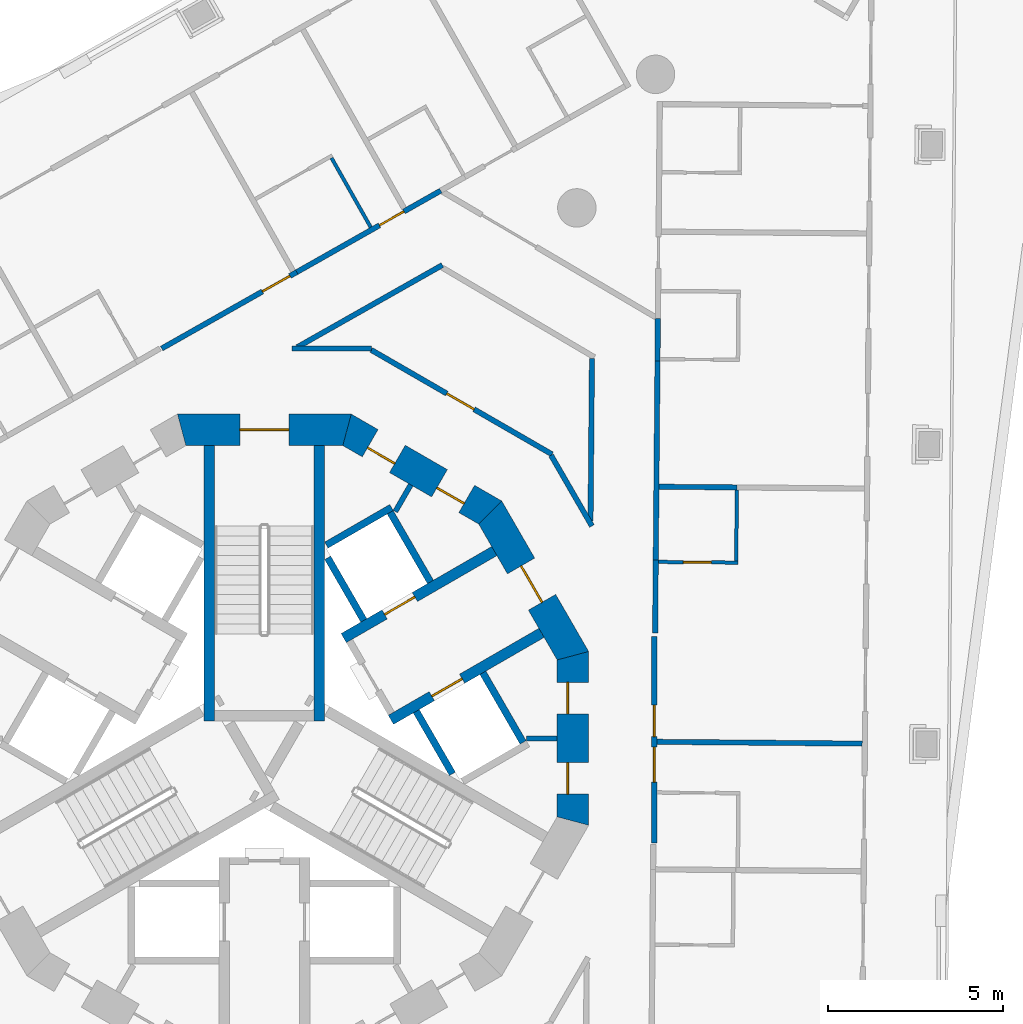
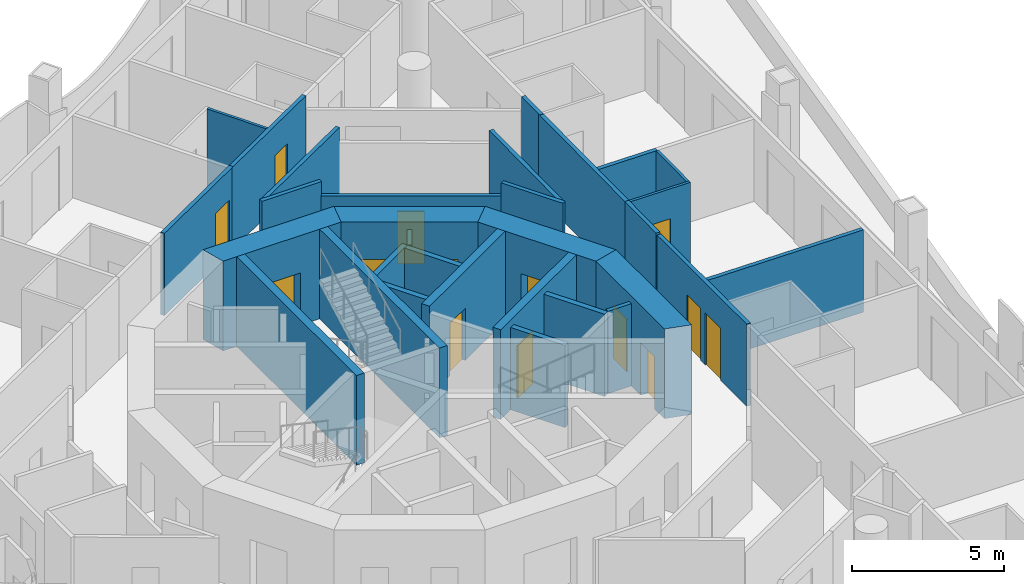
# One storey, part 8 of 18: 31 walls, 14 doors, 14 openings.
"""IFC4 building model written with IfcOpenShell, lengths in metres."""

from ifc_helpers import new_model, si_unit, direction, frame, frame_2d, origin, place, context, subcontext, project, spatial, polyline, rectangle, outline, extrude, material, layer, layer_set, type_object, element, fill, save


model = new_model("IFC4")

# Units and contexts
model_context = context("Model", 3, precision=1e-05, world=origin(), true_north=direction((0.0, 1.0)))
body_context = subcontext(model_context, "Body", "Model", "MODEL_VIEW")
ifc_project = project(units=[si_unit("LENGTHUNIT", "METRE"), si_unit("AREAUNIT", "SQUARE_METRE"), si_unit("VOLUMEUNIT", "CUBIC_METRE"), si_unit("PLANEANGLEUNIT", "RADIAN"), si_unit("MASSUNIT", "GRAM", prefix="KILO")], contexts=[model_context])

# Site, building, storey
site_placement = place(None, origin())
site = spatial("IfcSite", under=ifc_project, at=site_placement, CompositionType="ELEMENT")
building_placement = place(site_placement, origin())
building = spatial("IfcBuilding", under=site, at=building_placement, Name="Trine Commons Tower", CompositionType="ELEMENT")
storey_placement = place(building_placement, frame((0.0, 0.0, 161.10009765625)))
storey = spatial("IfcBuildingStorey", under=building, at=storey_placement, Name="L41", CompositionType="ELEMENT", Elevation=161.10009765625)

# Walls
ifc_material_1 = material(Name="Plasterboard partition on steel studs", Category="steel")
ifc_layer_1 = layer(ifc_material_1, 0.14990234375)
ifc_layer_set_1 = layer_set([ifc_layer_1], Name="Plasterboard partition on steel studs")
wall_type_1 = type_object("IfcWallType", Name="Core room partition 150 mm, EI 60", PredefinedType="PARTITIONING", material=ifc_layer_set_1)
for number, where, z_axis, x_axis, name in (
    (1, (84.18603515625, 69.7509765625, 0.0), (0.0, 0.0, 1.0), (-0.499890179513, -0.866088799389, 0.0), "Core room partition L41"),
    (2, (88.373046875, 62.5, 0.0), (0.0, 0.0, 1.0), (-1.0, 0.0, 0.0), "Core room partition L41"),
):
    element("IfcWall", number, at=place(storey_placement, frame(where, z_axis=z_axis, x_axis=x_axis)), inside=storey, type_object=wall_type_1, Name=name, PredefinedType="PARTITIONING", context=body_context, shape_type="SweptSolid", body=[
        extrude(rectangle(XDim=0.882080078125, YDim=0.14990234375, at=frame_2d((0.44091796875, 0.0))), origin(), (0.0, 0.0, 1.0), 3.2998046875),
    ])

# Wall, opening, door
ifc_material_2 = material(Name="Concrete C60/75", Category="concrete")
ifc_layer_2 = layer(ifc_material_2, 0.300048828125)
ifc_layer_set_2 = layer_set([ifc_layer_2], Name="Concrete C60/75")
wall_type_2 = type_object("IfcWallType", Name="RC shear wall 300 mm, C60/75", PredefinedType="SHEAR", material=ifc_layer_set_2)
wall_1_placement = place(storey_placement, frame((82.26904296875, 65.368896484375, 0.0), z_axis=(0.0, 0.0, 1.0), x_axis=(0.865983655544, 0.500072303102, 0.0)))
wall_1 = element("IfcWall", 3, at=wall_1_placement, inside=storey, type_object=wall_type_2, Name="Core cross wall SWB-05 L41", PredefinedType="SHEAR", context=body_context, shape_type="SweptSolid", body=[
    extrude(rectangle(XDim=4.973388671875, YDim=0.300048828125, at=frame_2d((2.48681640625, 0.0))), origin(), (0.0, 0.0, 1.0), 3.599853515625),
])
opening_1_placement = place(wall_1_placement, frame((1.3505859375, 0.0, 0.0)))
opening_1 = element("IfcOpeningElement", 4, at=opening_1_placement, cuts=wall_1, Name="Opening LD5", PredefinedType="OPENING", context=body_context, shape_type="SweptSolid", body=[
    extrude(rectangle(XDim=1.0, YDim=2.10009765625, at=frame_2d((0.5, 1.050048828125))), frame((0.0, 0.159912109375, 0.0), z_axis=(0.0, -1.0, 0.0), x_axis=(1.0, 0.0, 0.0)), (0.0, 0.0, 1.0), 0.320068359375),
])
ifc_material_3 = material(Name="Stainless steel sliding door leaves", Category="steel")
door_type_1 = type_object("IfcDoorType", Name="Lift landing door, centre-opening sliding 1000 x 2100, FD90", OperationType="DOUBLE_DOOR_SLIDING", PredefinedType="DOOR", material=ifc_material_3)
door_1_placement = place(opening_1_placement, origin())
door_1 = element("IfcDoor", 5, at=door_1_placement, inside=storey, type_object=door_type_1, Name="Lift landing door HR1 L41", OperationType="DOUBLE_DOOR_SLIDING", OverallHeight=2.10009765625, OverallWidth=1.0, PredefinedType="DOOR", context=body_context, shape_type="SweptSolid", body=[
    extrude(rectangle(XDim=1.0, YDim=2.10009765625, at=frame_2d((0.5, 1.050048828125))), frame((0.0, 0.02490234375, 0.0), z_axis=(0.0, -1.0, 0.0), x_axis=(1.0, 0.0, 0.0)), (0.0, 0.0, 1.0), 0.050048828125),
])
fill(opening_1, door_1)

wall_2_placement = place(storey_placement, frame((83.618896484375, 63.031005859375, 0.0), z_axis=(0.0, 0.0, 1.0), x_axis=(0.866080953719, 0.499903772346, 0.0)))
wall_2 = element("IfcWall", 6, at=wall_2_placement, inside=storey, type_object=wall_type_2, Name="Core cross wall SWB-06 L41", PredefinedType="SHEAR", context=body_context, shape_type="SweptSolid", body=[
    extrude(rectangle(XDim=4.97314453125, YDim=0.300048828125, at=frame_2d((2.486572265625, 0.0))), origin(), (0.0, 0.0, 1.0), 3.599853515625),
])
opening_2_placement = place(wall_2_placement, frame((1.350341796875, 0.0, 0.0)))
opening_2 = element("IfcOpeningElement", 7, at=opening_2_placement, cuts=wall_2, Name="Opening LD6", PredefinedType="OPENING", context=body_context, shape_type="SweptSolid", body=[
    extrude(rectangle(XDim=1.0, YDim=2.10009765625, at=frame_2d((0.5, 1.050048828125))), frame((0.0, 0.159912109375, 0.0), z_axis=(0.0, -1.0, 0.0), x_axis=(1.0, 0.0, 0.0)), (0.0, 0.0, 1.0), 0.320068359375),
])
door_2_placement = place(opening_2_placement, origin())
door_2 = element("IfcDoor", 8, at=door_2_placement, inside=storey, type_object=door_type_1, Name="Lift landing door HR2 L41", OperationType="DOUBLE_DOOR_SLIDING", OverallHeight=2.10009765625, OverallWidth=1.0, PredefinedType="DOOR", context=body_context, shape_type="SweptSolid", body=[
    extrude(rectangle(XDim=1.0, YDim=2.10009765625, at=frame_2d((0.5, 1.050048828125))), frame((0.0, 0.02490234375, 0.0), z_axis=(0.0, -1.0, 0.0), x_axis=(1.0, 0.0, 0.0)), (0.0, 0.0, 1.0), 0.050048828125),
])
fill(opening_2, door_2)

# Walls
for number, where, z_axis, x_axis, name in (
    (9, (78.425048828125, 63.0009765625, 0.0), (0.0, 0.0, 1.0), (0.0, 1.0, 0.0), "Core cross wall SWB-08 L41"),
    (10, (81.574951171875, 63.0009765625, 0.0), (0.0, 0.0, 1.0), (0.0, 1.0, 0.0), "Core cross wall SWB-17 L41"),
):
    element("IfcWall", number, at=place(storey_placement, frame(where, z_axis=z_axis, x_axis=x_axis)), inside=storey, type_object=wall_type_2, Name=name, PredefinedType="SHEAR", context=body_context, shape_type="SweptSolid", body=[
        extrude(rectangle(XDim=7.8720703125, YDim=0.300048828125, at=frame_2d((3.93603515625, 0.0))), origin(), (0.0, 0.0, 1.0), 3.599853515625),
    ])

# Wall, openings, doors
ifc_layer_3 = layer(ifc_material_2, 0.89990234375)
ifc_layer_set_3 = layer_set([ifc_layer_3], Name="Concrete C60/75")
wall_type_3 = type_object("IfcWallType", Name="RC shear wall 900 mm, C60/75", PredefinedType="SHEAR", material=ifc_layer_set_3)
wall_3_placement = place(storey_placement, frame((88.822998046875, 60.015380859375, 0.0), z_axis=(0.0, 0.0, 1.0), x_axis=(0.0, 1.0, 0.0)))
wall_3 = element("IfcWall", 11, at=wall_3_placement, inside=storey, type_object=wall_type_3, Name="Core wall CWE-01 L41", PredefinedType="SHEAR", context=body_context, shape_type="SweptSolid", body=[
    extrude(outline(polyline([(0.0, -0.449951171875), (4.969482421875, -0.449951171875), (4.728271484375, 0.449951171875), (0.2412109375, 0.449951171875), (0.0, -0.449951171875)])), origin(), (0.0, 0.0, 1.0), 3.599853515625),
])
opening_3_placement = place(wall_3_placement, frame((0.893798828125, 0.0, 0.0)))
opening_3 = element("IfcOpeningElement", 12, at=opening_3_placement, cuts=wall_3, Name="Opening K12.10", PredefinedType="OPENING", context=body_context, shape_type="SweptSolid", body=[
    extrude(rectangle(XDim=0.89990234375, YDim=2.10009765625, at=frame_2d((0.449951171875, 1.050048828125))), frame((0.0, 0.4599609375, 0.0), z_axis=(0.0, -1.0, 0.0), x_axis=(1.0, 0.0, 0.0)), (0.0, 0.0, 1.0), 0.919921875),
])
opening_4_placement = place(wall_3_placement, frame((3.184814453125, 0.0, 0.0)))
opening_4 = element("IfcOpeningElement", 13, at=opening_4_placement, cuts=wall_3, Name="Opening K12.11", PredefinedType="OPENING", context=body_context, shape_type="SweptSolid", body=[
    extrude(rectangle(XDim=0.89990234375, YDim=2.10009765625, at=frame_2d((0.449951171875, 1.050048828125))), frame((0.0, 0.4599609375, 0.0), z_axis=(0.0, -1.0, 0.0), x_axis=(1.0, 0.0, 0.0)), (0.0, 0.0, 1.0), 0.919921875),
])
ifc_material_4 = material(Name="Steel door leaf, fire-rated", Category="steel")
door_type_2 = type_object("IfcDoorType", Name="Core room door, single leaf 900 x 2100, FD30S", OperationType="SINGLE_SWING_LEFT", PredefinedType="DOOR", material=ifc_material_4)
door_3_placement = place(opening_3_placement, origin())
door_3 = element("IfcDoor", 14, at=door_3_placement, inside=storey, type_object=door_type_2, Name="Door to Linen store L41", OperationType="SINGLE_SWING_LEFT", OverallHeight=2.10009765625, OverallWidth=0.89990234375, PredefinedType="DOOR", context=body_context, shape_type="SweptSolid", body=[
    extrude(rectangle(XDim=0.89990234375, YDim=2.10009765625, at=frame_2d((0.449951171875, 1.050048828125))), frame((0.0, 0.1748046875, 0.0), z_axis=(0.0, -1.0, 0.0), x_axis=(1.0, 0.0, 0.0)), (0.0, 0.0, 1.0), 0.050048828125),
])
fill(opening_3, door_3)
door_4_placement = place(opening_4_placement, origin())
door_4 = element("IfcDoor", 15, at=door_4_placement, inside=storey, type_object=door_type_2, Name="Door to Pantry L41", OperationType="SINGLE_SWING_RIGHT", OverallHeight=2.10009765625, OverallWidth=0.89990234375, PredefinedType="DOOR", context=body_context, shape_type="SweptSolid", body=[
    extrude(rectangle(XDim=0.89990234375, YDim=2.10009765625, at=frame_2d((0.449951171875, 1.050048828125))), frame((0.0, 0.1748046875, 0.0), z_axis=(0.0, -1.0, 0.0), x_axis=(1.0, 0.0, 0.0)), (0.0, 0.0, 1.0), 0.050048828125),
])
fill(opening_4, door_4)

# Wall, opening, door
wall_4_placement = place(storey_placement, frame((88.88330078125, 64.759765625, 0.0), z_axis=(0.0, 0.0, 1.0), x_axis=(-0.500038571144, 0.866003133579, 0.0)))
wall_4 = element("IfcWall", 16, at=wall_4_placement, inside=storey, type_object=wall_type_3, Name="Core wall CWE-02 L41", PredefinedType="SHEAR", context=body_context, shape_type="SweptSolid", body=[
    extrude(outline(polyline([(0.0, -0.449951171875), (4.96923828125, -0.449951171875), (4.72802734375, 0.449951171875), (0.2412109375, 0.449951171875), (0.0, -0.449951171875)])), origin(), (0.0, 0.0, 1.0), 3.599853515625),
])
opening_5_placement = place(wall_4_placement, frame((1.884521484375, 0.0, 0.0)))
opening_5 = element("IfcOpeningElement", 17, at=opening_5_placement, cuts=wall_4, Name="Opening K12.04", PredefinedType="OPENING", context=body_context, shape_type="SweptSolid", body=[
    extrude(rectangle(XDim=1.199951171875, YDim=2.10009765625, at=frame_2d((0.60009765625, 1.050048828125))), frame((0.0, 0.4599609375, 0.0), z_axis=(0.0, -1.0, 0.0), x_axis=(1.0, 0.0, 0.0)), (0.0, 0.0, 1.0), 0.919921875),
])
ifc_material_5 = material(Name="Steel door leaves, fire-rated", Category="steel")
door_type_3 = type_object("IfcDoorType", Name="Lobby door, double leaf 1200 x 2100, FD60", OperationType="DOUBLE_DOOR_SINGLE_SWING", PredefinedType="DOOR", material=ifc_material_5)
door_5_placement = place(opening_5_placement, origin())
door_5 = element("IfcDoor", 18, at=door_5_placement, inside=storey, type_object=door_type_3, Name="Lobby door, Passenger lift lobby A L41", OperationType="DOUBLE_DOOR_SINGLE_SWING", OverallHeight=2.10009765625, OverallWidth=1.199951171875, PredefinedType="DOOR", context=body_context, shape_type="SweptSolid", body=[
    extrude(rectangle(XDim=1.199951171875, YDim=2.10009765625, at=frame_2d((0.60009765625, 1.050048828125))), frame((0.0, 0.02490234375, 0.0), z_axis=(0.0, -1.0, 0.0), x_axis=(1.0, 0.0, 0.0)), (0.0, 0.0, 1.0), 0.050048828125),
])
fill(opening_5, door_5)

# Wall, openings, doors
wall_5_placement = place(storey_placement, frame((86.563232421875, 68.8984375, 0.0), z_axis=(0.0, 0.0, 1.0), x_axis=(-0.866003133579, 0.500038571144, 0.0)))
wall_5 = element("IfcWall", 19, at=wall_5_placement, inside=storey, type_object=wall_type_3, Name="Core wall CWE-03 L41", PredefinedType="SHEAR", context=body_context, shape_type="SweptSolid", body=[
    extrude(outline(polyline([(0.0, -0.449951171875), (4.96923828125, -0.449951171875), (4.72802734375, 0.449951171875), (0.2412109375, 0.449951171875), (0.0, -0.449951171875)])), origin(), (0.0, 0.0, 1.0), 3.599853515625),
])
opening_6_placement = place(wall_5_placement, frame((0.89599609375, 0.0, 0.0)))
opening_6 = element("IfcOpeningElement", 20, at=opening_6_placement, cuts=wall_5, Name="Opening K12.12", PredefinedType="OPENING", context=body_context, shape_type="SweptSolid", body=[
    extrude(rectangle(XDim=0.89990234375, YDim=2.10009765625, at=frame_2d((0.449951171875, 1.050048828125))), frame((0.0, 0.4599609375, 0.0), z_axis=(0.0, -1.0, 0.0), x_axis=(1.0, 0.0, 0.0)), (0.0, 0.0, 1.0), 0.919921875),
])
opening_7_placement = place(wall_5_placement, frame((3.18505859375, 0.0, 0.0)))
opening_7 = element("IfcOpeningElement", 21, at=opening_7_placement, cuts=wall_5, Name="Opening K12.13", PredefinedType="OPENING", context=body_context, shape_type="SweptSolid", body=[
    extrude(rectangle(XDim=0.89990234375, YDim=2.10009765625, at=frame_2d((0.449951171875, 1.050048828125))), frame((0.0, 0.4599609375, 0.0), z_axis=(0.0, -1.0, 0.0), x_axis=(1.0, 0.0, 0.0)), (0.0, 0.0, 1.0), 0.919921875),
])
door_6_placement = place(opening_6_placement, origin())
door_6 = element("IfcDoor", 22, at=door_6_placement, inside=storey, type_object=door_type_2, Name="Door to Parcel store L41", OperationType="SINGLE_SWING_LEFT", OverallHeight=2.10009765625, OverallWidth=0.89990234375, PredefinedType="DOOR", context=body_context, shape_type="SweptSolid", body=[
    extrude(rectangle(XDim=0.89990234375, YDim=2.10009765625, at=frame_2d((0.449951171875, 1.050048828125))), frame((0.0, 0.1748046875, 0.0), z_axis=(0.0, -1.0, 0.0), x_axis=(1.0, 0.0, 0.0)), (0.0, 0.0, 1.0), 0.050048828125),
])
fill(opening_6, door_6)
door_7_placement = place(opening_7_placement, origin())
door_7 = element("IfcDoor", 23, at=door_7_placement, inside=storey, type_object=door_type_2, Name="Door to Print room L41", OperationType="SINGLE_SWING_RIGHT", OverallHeight=2.10009765625, OverallWidth=0.89990234375, PredefinedType="DOOR", context=body_context, shape_type="SweptSolid", body=[
    extrude(rectangle(XDim=0.89990234375, YDim=2.10009765625, at=frame_2d((0.449951171875, 1.050048828125))), frame((0.0, 0.1748046875, 0.0), z_axis=(0.0, -1.0, 0.0), x_axis=(1.0, 0.0, 0.0)), (0.0, 0.0, 1.0), 0.050048828125),
])
fill(opening_7, door_7)

# Wall, opening, door
wall_6_placement = place(storey_placement, frame((82.484619140625, 71.322998046875, 0.0), z_axis=(0.0, 0.0, 1.0), x_axis=(-1.0, 0.0, 0.0)))
wall_6 = element("IfcWall", 24, at=wall_6_placement, inside=storey, type_object=wall_type_3, Name="Core wall CWE-04 L41", PredefinedType="SHEAR", context=body_context, shape_type="SweptSolid", body=[
    extrude(outline(polyline([(0.0, -0.449951171875), (4.969482421875, -0.449951171875), (4.728271484375, 0.449951171875), (0.2412109375, 0.449951171875), (0.0, -0.449951171875)])), origin(), (0.0, 0.0, 1.0), 3.599853515625),
])
opening_8_placement = place(wall_6_placement, frame((1.78466796875, 0.0, 0.0)))
opening_8 = element("IfcOpeningElement", 25, at=opening_8_placement, cuts=wall_6, Name="Opening K12.01", PredefinedType="OPENING", context=body_context, shape_type="SweptSolid", body=[
    extrude(rectangle(XDim=1.39990234375, YDim=2.10009765625, at=frame_2d((0.699951171875, 1.050048828125))), frame((0.0, 0.4599609375, 0.0), z_axis=(0.0, -1.0, 0.0), x_axis=(1.0, 0.0, 0.0)), (0.0, 0.0, 1.0), 0.919921875),
])
door_type_4 = type_object("IfcDoorType", Name="Stair door, double leaf 1400 x 2100, FD90", OperationType="DOUBLE_DOOR_SINGLE_SWING", PredefinedType="DOOR", material=ifc_material_5)
door_8_placement = place(opening_8_placement, origin())
door_8 = element("IfcDoor", 26, at=door_8_placement, inside=storey, type_object=door_type_4, Name="Stair door to Exit stair ST1B L41", OperationType="DOUBLE_DOOR_SINGLE_SWING", OverallHeight=2.10009765625, OverallWidth=1.39990234375, PredefinedType="DOOR", context=body_context, shape_type="SweptSolid", body=[
    extrude(rectangle(XDim=1.39990234375, YDim=2.10009765625, at=frame_2d((0.699951171875, 1.050048828125))), frame((0.0, 0.02490234375, 0.0), z_axis=(0.0, -1.0, 0.0), x_axis=(1.0, 0.0, 0.0)), (0.0, 0.0, 1.0), 0.050048828125),
])
fill(opening_8, door_8)

# Walls
ifc_material_6 = material(Name="Fire-rated gypsum shaft wall system")
ifc_layer_4 = layer(ifc_material_6, 0.199951171875)
ifc_layer_set_4 = layer_set([ifc_layer_4], Name="Fire-rated gypsum shaft wall system")
wall_type_4 = type_object("IfcWallType", Name="Shaft wall 200 mm, EI 120", PredefinedType="PARTITIONING", material=ifc_layer_set_4)
wall_7_placement = place(storey_placement, frame((81.77490234375, 68.028076171875, 0.0), z_axis=(0.0, 0.0, 1.0), x_axis=(0.866130725101, 0.499817533742, 0.0)))
element("IfcWall", 27, at=wall_7_placement, inside=storey, type_object=wall_type_4, Name="Shaft wall L41", PredefinedType="PARTITIONING", context=body_context, shape_type="SweptSolid", body=[
    extrude(rectangle(XDim=2.148681640625, YDim=0.199951171875, at=frame_2d((1.07421875, 0.0))), origin(), (0.0, 0.0, 1.0), 3.2998046875),
])
wall_8_placement = place(storey_placement, frame((82.843994140625, 65.8740234375, 0.0), z_axis=(0.0, 0.0, 1.0), x_axis=(-0.499865770674, 0.866102887253, 0.0)))
element("IfcWall", 28, at=wall_8_placement, inside=storey, type_object=wall_type_4, Name="Shaft wall L41", PredefinedType="PARTITIONING", context=body_context, shape_type="SweptSolid", body=[
    extrude(rectangle(XDim=2.064453125, YDim=0.199951171875, at=frame_2d((1.0322265625, 0.0))), origin(), (0.0, 0.0, 1.0), 3.2998046875),
])
wall_9_placement = place(storey_placement, frame((84.343994140625, 63.27587890625, 0.0), z_axis=(0.0, 0.0, 1.0), x_axis=(0.500271688072, -0.86586848777, 0.0)))
element("IfcWall", 29, at=wall_9_placement, inside=storey, type_object=wall_type_4, Name="Shaft wall L41", PredefinedType="PARTITIONING", context=body_context, shape_type="SweptSolid", body=[
    extrude(rectangle(XDim=2.064697265625, YDim=0.199951171875, at=frame_2d((1.0322265625, 0.0))), origin(), (0.0, 0.0, 1.0), 3.2998046875),
])
for number, where, z_axis, x_axis, name in (
    (30, (84.7490234375, 66.97412109375, 0.0), (0.0, 0.0, 1.0), (-0.500136062276, 0.86594683394, 0.0), "Shaft wall L41"),
    (31, (86.2490234375, 64.3759765625, 0.0), (0.0, 0.0, 1.0), (0.500136062276, -0.86594683394, 0.0), "Shaft wall L41"),
):
    element("IfcWall", number, at=place(storey_placement, frame(where, z_axis=z_axis, x_axis=x_axis)), inside=storey, type_object=wall_type_4, Name=name, PredefinedType="PARTITIONING", context=body_context, shape_type="SweptSolid", body=[
        extrude(rectangle(XDim=2.299072265625, YDim=0.199951171875, at=frame_2d((1.1494140625, 0.0))), origin(), (0.0, 0.0, 1.0), 3.2998046875),
    ])

# Wall, opening, door
ifc_material_7 = material(Name="Gypsum plasterboard on steel stud", Category="steel")
ifc_layer_5 = layer(ifc_material_7, 0.14990234375)
ifc_layer_set_5 = layer_set([ifc_layer_5], Name="Gypsum plasterboard on steel stud")
wall_type_5 = type_object("IfcWallType", Name="Unit and corridor wall 150 mm, EI 60", PredefinedType="PARTITIONING", material=ifc_layer_set_5)
wall_10_placement = place(storey_placement, frame((77.06396484375, 73.64794921875, 0.0), z_axis=(0.0, 0.0, 1.0), x_axis=(0.870327135276, 0.492474037491, 0.0)))
wall_10 = element("IfcWall", 32, at=wall_10_placement, inside=storey, type_object=wall_type_5, Name="Partition 060", PredefinedType="PARTITIONING", context=body_context, shape_type="SweptSolid", body=[
    extrude(rectangle(XDim=4.43896484375, YDim=0.14990234375, at=frame_2d((2.219482421875, 0.0))), origin(), (0.0, 0.0, 1.0), 3.2998046875),
])
opening_9_placement = place(wall_10_placement, frame((3.310302734375, 0.0, 0.0)))
opening_9 = element("IfcOpeningElement", 33, at=opening_9_placement, cuts=wall_10, Name="Opening D-5A09", PredefinedType="OPENING", context=body_context, shape_type="SweptSolid", body=[
    extrude(rectangle(XDim=0.89990234375, YDim=2.10009765625, at=frame_2d((0.449951171875, 1.050048828125))), frame((0.0, 0.0849609375, 0.0), z_axis=(0.0, -1.0, 0.0), x_axis=(1.0, 0.0, 0.0)), (0.0, 0.0, 1.0), 0.169921875),
])
ifc_material_8 = material(Name="Timber fire door set", Category="wood")
door_type_5 = type_object("IfcDoorType", Name="Bedroom door 900 x 2100, FD30S", OperationType="NOTDEFINED", PredefinedType="DOOR", material=ifc_material_8)
door_9_placement = place(opening_9_placement, origin())
door_9 = element("IfcDoor", 34, at=door_9_placement, inside=storey, type_object=door_type_5, Name="Door D-5A09", OperationType="SINGLE_SWING_RIGHT", OverallHeight=2.10009765625, OverallWidth=0.89990234375, PredefinedType="DOOR", context=body_context, shape_type="SweptSolid", body=[
    extrude(rectangle(XDim=0.89990234375, YDim=2.10009765625, at=frame_2d((0.449951171875, 1.050048828125))), frame((0.0, 0.02490234375, 0.0), z_axis=(0.0, -1.0, 0.0), x_axis=(1.0, 0.0, 0.0)), (0.0, 0.0, 1.0), 0.050048828125),
])
fill(opening_9, door_9)

wall_11_placement = place(storey_placement, frame((80.85595703125, 75.79296875, 0.0), z_axis=(0.0, 0.0, 1.0), x_axis=(0.870296246949, 0.492528621043, 0.0)))
wall_11 = element("IfcWall", 35, at=wall_11_placement, inside=storey, type_object=wall_type_5, Name="Partition 067", PredefinedType="PARTITIONING", context=body_context, shape_type="SweptSolid", body=[
    extrude(rectangle(XDim=4.812255859375, YDim=0.14990234375, at=frame_2d((2.40625, 0.0))), origin(), (0.0, 0.0, 1.0), 3.2998046875),
])
opening_10_placement = place(wall_11_placement, frame((2.800537109375, 0.0, 0.0)))
opening_10 = element("IfcOpeningElement", 36, at=opening_10_placement, cuts=wall_11, Name="Opening D-5A10", PredefinedType="OPENING", context=body_context, shape_type="SweptSolid", body=[
    extrude(rectangle(XDim=0.800048828125, YDim=2.10009765625, at=frame_2d((0.39990234375, 1.050048828125))), frame((0.0, 0.0849609375, 0.0), z_axis=(0.0, -1.0, 0.0), x_axis=(1.0, 0.0, 0.0)), (0.0, 0.0, 1.0), 0.169921875),
])
door_type_6 = type_object("IfcDoorType", Name="Bedroom door 800 x 2100, FD30S", OperationType="NOTDEFINED", PredefinedType="DOOR", material=ifc_material_8)
door_10_placement = place(opening_10_placement, origin())
door_10 = element("IfcDoor", 37, at=door_10_placement, inside=storey, type_object=door_type_6, Name="Door D-5A10", OperationType="SINGLE_SWING_RIGHT", OverallHeight=2.10009765625, OverallWidth=0.800048828125, PredefinedType="DOOR", context=body_context, shape_type="SweptSolid", body=[
    extrude(rectangle(XDim=0.800048828125, YDim=2.10009765625, at=frame_2d((0.39990234375, 1.050048828125))), frame((0.0, 0.02490234375, 0.0), z_axis=(0.0, -1.0, 0.0), x_axis=(1.0, 0.0, 0.0)), (0.0, 0.0, 1.0), 0.050048828125),
])
fill(opening_10, door_10)

# Walls
wall_12_placement = place(storey_placement, frame((80.79296875, 73.64794921875, 0.0), z_axis=(0.0, 0.0, 1.0), x_axis=(1.0, 0.0, 0.0)))
element("IfcWall", 38, at=wall_12_placement, inside=storey, type_object=wall_type_5, Name="Partition 068", PredefinedType="PARTITIONING", context=body_context, shape_type="SweptSolid", body=[
    extrude(rectangle(XDim=2.26904296875, YDim=0.14990234375, at=frame_2d((1.134521484375, 0.0))), origin(), (0.0, 0.0, 1.0), 3.2998046875),
])
wall_13_placement = place(storey_placement, frame((80.937255859375, 73.684814453125, 0.0), z_axis=(0.0, 0.0, 1.0), x_axis=(0.870319748897, 0.492487090876, 0.0)))
element("IfcWall", 39, at=wall_13_placement, inside=storey, type_object=wall_type_5, Name="Partition 069", PredefinedType="PARTITIONING", context=body_context, shape_type="SweptSolid", body=[
    extrude(rectangle(XDim=4.77197265625, YDim=0.14990234375, at=frame_2d((2.385986328125, 0.0))), origin(), (0.0, 0.0, 1.0), 3.2998046875),
])

# Wall, opening, door
wall_14_placement = place(storey_placement, frame((83.052001953125, 73.610595703125, 0.0), z_axis=(0.0, 0.0, 1.0), x_axis=(0.866039280689, -0.499975963725, 0.0)))
wall_14 = element("IfcWall", 40, at=wall_14_placement, inside=storey, type_object=wall_type_5, Name="Partition 079", PredefinedType="PARTITIONING", context=body_context, shape_type="SweptSolid", body=[
    extrude(rectangle(XDim=5.974365234375, YDim=0.14990234375, at=frame_2d((2.9873046875, 0.0))), origin(), (0.0, 0.0, 1.0), 2.75),
])
opening_11_placement = place(wall_14_placement, frame((2.499755859375, 0.0, 0.0)))
opening_11 = element("IfcOpeningElement", 41, at=opening_11_placement, cuts=wall_14, Name="Opening D-5A27", PredefinedType="OPENING", context=body_context, shape_type="SweptSolid", body=[
    extrude(rectangle(XDim=0.89990234375, YDim=2.10009765625, at=frame_2d((0.449951171875, 1.050048828125))), frame((0.0, 0.0849609375, 0.0), z_axis=(0.0, -1.0, 0.0), x_axis=(1.0, 0.0, 0.0)), (0.0, 0.0, 1.0), 0.169921875),
])
door_type_7 = type_object("IfcDoorType", Name="Service door 900 x 2100, FD30S", OperationType="NOTDEFINED", PredefinedType="DOOR", material=ifc_material_8)
door_11_placement = place(opening_11_placement, origin())
door_11 = element("IfcDoor", 42, at=door_11_placement, inside=storey, type_object=door_type_7, Name="Door D-5A27", OperationType="SINGLE_SWING_LEFT", OverallHeight=2.10009765625, OverallWidth=0.89990234375, PredefinedType="DOOR", context=body_context, shape_type="SweptSolid", body=[
    extrude(rectangle(XDim=0.89990234375, YDim=2.10009765625, at=frame_2d((0.449951171875, 1.050048828125))), frame((0.0, 0.02490234375, 0.0), z_axis=(0.0, -1.0, 0.0), x_axis=(1.0, 0.0, 0.0)), (0.0, 0.0, 1.0), 0.050048828125),
])
fill(opening_11, door_11)

# Walls
wall_15_placement = place(storey_placement, frame((88.198486328125, 70.595947265625, 0.0), z_axis=(0.0, 0.0, 1.0), x_axis=(0.500005931509, -0.866021979199, 0.0)))
element("IfcWall", 43, at=wall_15_placement, inside=storey, type_object=wall_type_5, Name="Partition 101", PredefinedType="PARTITIONING", context=body_context, shape_type="SweptSolid", body=[
    extrude(rectangle(XDim=2.3359375, YDim=0.14990234375, at=frame_2d((1.16796875, 0.0))), origin(), (0.0, 0.0, 1.0), 3.2998046875),
])
wall_16_placement = place(storey_placement, frame((89.32763671875, 68.716064453125, 0.0), z_axis=(0.0, 0.0, 1.0), x_axis=(0.008771592358, 0.999961528844, 0.0)))
element("IfcWall", 44, at=wall_16_placement, inside=storey, type_object=wall_type_5, Name="Partition 107", PredefinedType="PARTITIONING", context=body_context, shape_type="SweptSolid", body=[
    extrude(rectangle(XDim=4.648193359375, YDim=0.14990234375, at=frame_2d((2.32421875, 0.0))), origin(), (0.0, 0.0, 1.0), 3.2998046875),
])

# Wall, openings, doors
wall_17_placement = place(storey_placement, frame((91.14794921875, 59.512939453125, 0.0), z_axis=(0.0, 0.0, 1.0), x_axis=(0.0, 1.0, 0.0)))
wall_17 = element("IfcWall", 45, at=wall_17_placement, inside=storey, type_object=wall_type_5, Name="Partition 119", PredefinedType="PARTITIONING", context=body_context, shape_type="SweptSolid", body=[
    extrude(rectangle(XDim=5.899169921875, YDim=0.14990234375, at=frame_2d((2.94970703125, 0.0))), origin(), (0.0, 0.0, 1.0), 3.2998046875),
])
opening_12_placement = place(wall_17_placement, frame((3.0400390625, 0.0, 0.0)))
opening_12 = element("IfcOpeningElement", 46, at=opening_12_placement, cuts=wall_17, Name="Opening D-5A15", PredefinedType="OPENING", context=body_context, shape_type="SweptSolid", body=[
    extrude(rectangle(XDim=0.89990234375, YDim=2.10009765625, at=frame_2d((0.449951171875, 1.050048828125))), frame((0.0, 0.0849609375, 0.0), z_axis=(0.0, -1.0, 0.0), x_axis=(1.0, 0.0, 0.0)), (0.0, 0.0, 1.0), 0.169921875),
])
opening_13_placement = place(wall_17_placement, frame((1.739990234375, 0.0, 0.0)))
opening_13 = element("IfcOpeningElement", 47, at=opening_13_placement, cuts=wall_17, Name="Opening D-5A16", PredefinedType="OPENING", context=body_context, shape_type="SweptSolid", body=[
    extrude(rectangle(XDim=1.0, YDim=2.10009765625, at=frame_2d((0.5, 1.050048828125))), frame((0.0, 0.0849609375, 0.0), z_axis=(0.0, -1.0, 0.0), x_axis=(1.0, 0.0, 0.0)), (0.0, 0.0, 1.0), 0.169921875),
])
door_type_8 = type_object("IfcDoorType", Name="Bedroom door 1000 x 2100, FD30S", OperationType="NOTDEFINED", PredefinedType="DOOR", material=ifc_material_8)
door_12_placement = place(opening_13_placement, frame((1.0, 0.0, 0.0), z_axis=(0.0, 0.0, 1.0), x_axis=(-1.0, 0.0, 0.0)))
door_12 = element("IfcDoor", 48, at=door_12_placement, inside=storey, type_object=door_type_8, Name="Door D-5A16", OperationType="SINGLE_SWING_RIGHT", OverallHeight=2.10009765625, OverallWidth=1.0, PredefinedType="DOOR", context=body_context, shape_type="SweptSolid", body=[
    extrude(rectangle(XDim=1.0, YDim=2.10009765625, at=frame_2d((0.5, 1.050048828125))), frame((0.0, 0.02490234375, 0.0), z_axis=(0.0, -1.0, 0.0), x_axis=(1.0, 0.0, 0.0)), (0.0, 0.0, 1.0), 0.050048828125),
])
fill(opening_13, door_12)
door_13_placement = place(opening_12_placement, frame((0.89990234375, 0.0, 0.0), z_axis=(0.0, 0.0, 1.0), x_axis=(-1.0, 0.0, 0.0)))
door_13 = element("IfcDoor", 49, at=door_13_placement, inside=storey, type_object=door_type_5, Name="Door D-5A15", OperationType="SINGLE_SWING_LEFT", OverallHeight=2.10009765625, OverallWidth=0.89990234375, PredefinedType="DOOR", context=body_context, shape_type="SweptSolid", body=[
    extrude(rectangle(XDim=0.89990234375, YDim=2.10009765625, at=frame_2d((0.449951171875, 1.050048828125))), frame((0.0, 0.02490234375, 0.0), z_axis=(0.0, -1.0, 0.0), x_axis=(1.0, 0.0, 0.0)), (0.0, 0.0, 1.0), 0.050048828125),
])
fill(opening_12, door_13)

# Walls
wall_18_placement = place(storey_placement, frame((91.222900390625, 62.40234375, 0.0), z_axis=(0.0, 0.0, 1.0), x_axis=(0.999960815669, -0.008852520937, 0.0)))
element("IfcWall", 50, at=wall_18_placement, inside=storey, type_object=wall_type_5, Name="Partition 121", PredefinedType="PARTITIONING", context=body_context, shape_type="SweptSolid", body=[
    extrude(rectangle(XDim=5.874267578125, YDim=0.14990234375, at=frame_2d((2.93701171875, 0.0))), origin(), (0.0, 0.0, 1.0), 3.2998046875),
])
wall_19_placement = place(storey_placement, frame((91.174560546875, 65.51611328125, 0.0), z_axis=(0.0, 0.0, 1.0), x_axis=(0.00854769709, 0.99996346777, 0.0)))
element("IfcWall", 51, at=wall_19_placement, inside=storey, type_object=wall_type_5, Name="Partition 122", PredefinedType="PARTITIONING", context=body_context, shape_type="SweptSolid", body=[
    extrude(rectangle(XDim=2.0849609375, YDim=0.14990234375, at=frame_2d((1.04248046875, 0.0))), origin(), (0.0, 0.0, 1.0), 3.2998046875),
])
wall_20_placement = place(storey_placement, frame((91.19189453125, 67.54296875, 0.0), z_axis=(0.0, 0.0, 1.0), x_axis=(0.008789667593, 0.999961370126, 0.0)))
element("IfcWall", 52, at=wall_20_placement, inside=storey, type_object=wall_type_5, Name="Partition 123", PredefinedType="PARTITIONING", context=body_context, shape_type="SweptSolid", body=[
    extrude(rectangle(XDim=5.80517578125, YDim=0.14990234375, at=frame_2d((2.902587890625, 0.0))), origin(), (0.0, 0.0, 1.0), 3.2998046875),
])
wall_21_placement = place(storey_placement, frame((91.285888671875, 69.6962890625, 0.0), z_axis=(0.0, 0.0, 1.0), x_axis=(0.999962566689, -0.008652469087, 0.0)))
element("IfcWall", 53, at=wall_21_placement, inside=storey, type_object=wall_type_5, Name="Partition 125", PredefinedType="PARTITIONING", context=body_context, shape_type="SweptSolid", body=[
    extrude(rectangle(XDim=2.22900390625, YDim=0.14990234375, at=frame_2d((1.114501953125, 0.0))), origin(), (0.0, 0.0, 1.0), 3.2998046875),
])
wall_22_placement = place(storey_placement, frame((91.24267578125, 73.2900390625, 0.0), z_axis=(0.0, 0.0, 1.0), x_axis=(0.008440213825, 0.999964380761, 0.0)))
element("IfcWall", 54, at=wall_22_placement, inside=storey, type_object=wall_type_5, Name="Partition 126", PredefinedType="PARTITIONING", context=body_context, shape_type="SweptSolid", body=[
    extrude(rectangle(XDim=1.21484375, YDim=0.14990234375, at=frame_2d((0.607421875, 0.0))), origin(), (0.0, 0.0, 1.0), 3.2998046875),
])
ifc_layer_6 = layer(ifc_material_7, 0.10009765625)
ifc_layer_set_6 = layer_set([ifc_layer_6], Name="Gypsum plasterboard on steel stud")
wall_type_6 = type_object("IfcWallType", Name="Unit partition 100 mm, no rating", PredefinedType="PARTITIONING", material=ifc_layer_set_6)
wall_23_placement = place(storey_placement, frame((81.921630859375, 79.096435546875, 0.0), z_axis=(0.0, 0.0, 1.0), x_axis=(0.492424941649, -0.870354914298, 0.0)))
element("IfcWall", 55, at=wall_23_placement, inside=storey, type_object=wall_type_6, Name="Partition 073", PredefinedType="PARTITIONING", context=body_context, shape_type="SweptSolid", body=[
    extrude(rectangle(XDim=2.275146484375, YDim=0.10009765625, at=frame_2d((1.1376953125, 0.0))), origin(), (0.0, 0.0, 1.0), 3.2998046875),
])

# Wall, opening, door
wall_24_placement = place(storey_placement, frame((91.26806640625, 67.54638671875, 0.0), z_axis=(0.0, 0.0, 1.0), x_axis=(0.999962219299, -0.008692524121, 0.0)))
wall_24 = element("IfcWall", 56, at=wall_24_placement, inside=storey, type_object=wall_type_6, Name="Partition 124", PredefinedType="PARTITIONING", context=body_context, shape_type="SweptSolid", body=[
    extrude(rectangle(XDim=2.27490234375, YDim=0.10009765625, at=frame_2d((1.137451171875, 0.0))), origin(), (0.0, 0.0, 1.0), 3.2998046875),
])
opening_14_placement = place(wall_24_placement, frame((0.71240234375, 0.0, 0.0)))
opening_14 = element("IfcOpeningElement", 57, at=opening_14_placement, cuts=wall_24, Name="Opening D-5A40", PredefinedType="OPENING", context=body_context, shape_type="SweptSolid", body=[
    extrude(rectangle(XDim=0.800048828125, YDim=2.10009765625, at=frame_2d((0.39990234375, 1.050048828125))), frame((0.0, 0.06005859375, 0.0), z_axis=(0.0, -1.0, 0.0), x_axis=(1.0, 0.0, 0.0)), (0.0, 0.0, 1.0), 0.1201171875),
])
ifc_material_9 = material(Name="Painted timber", Category="wood")
door_type_9 = type_object("IfcDoorType", Name="Internal door 800 x 2100, NOT RATED", OperationType="NOTDEFINED", PredefinedType="DOOR", material=ifc_material_9)
door_14_placement = place(opening_14_placement, frame((0.800048828125, 0.0, 0.0), z_axis=(0.0, 0.0, 1.0), x_axis=(-1.0, 0.0, 0.0)))
door_14 = element("IfcDoor", 58, at=door_14_placement, inside=storey, type_object=door_type_9, Name="Door D-5A40", OperationType="SINGLE_SWING_RIGHT", OverallHeight=2.10009765625, OverallWidth=0.800048828125, PredefinedType="DOOR", context=body_context, shape_type="SweptSolid", body=[
    extrude(rectangle(XDim=0.800048828125, YDim=2.10009765625, at=frame_2d((0.39990234375, 1.050048828125))), frame((0.0, 0.02490234375, 0.0), z_axis=(0.0, -1.0, 0.0), x_axis=(1.0, 0.0, 0.0)), (0.0, 0.0, 1.0), 0.050048828125),
])
fill(opening_14, door_14)

# Wall
wall_25_placement = place(storey_placement, frame((93.493408203125, 67.576904296875, 0.0), z_axis=(0.0, 0.0, 1.0), x_axis=(0.008438518102, 0.999964395072, 0.0)))
element("IfcWall", 59, at=wall_25_placement, inside=storey, type_object=wall_type_6, Name="Partition 135", PredefinedType="PARTITIONING", context=body_context, shape_type="SweptSolid", body=[
    extrude(rectangle(XDim=2.025146484375, YDim=0.10009765625, at=frame_2d((1.0126953125, 0.0))), origin(), (0.0, 0.0, 1.0), 3.2998046875),
])

save(model, "model.ifc")
